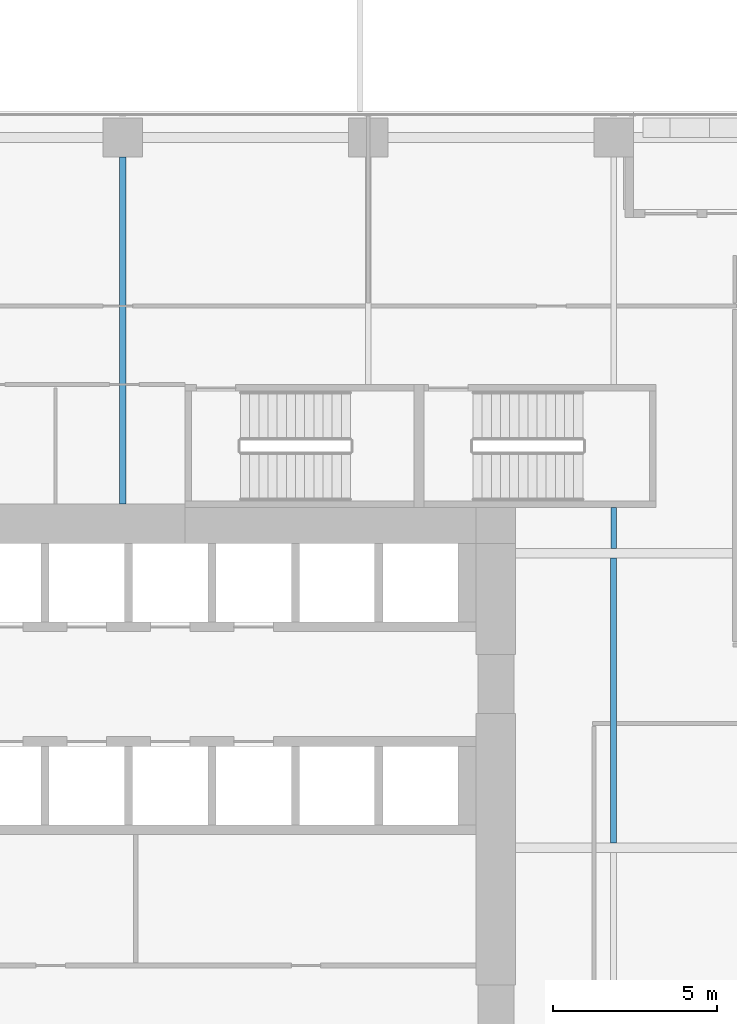
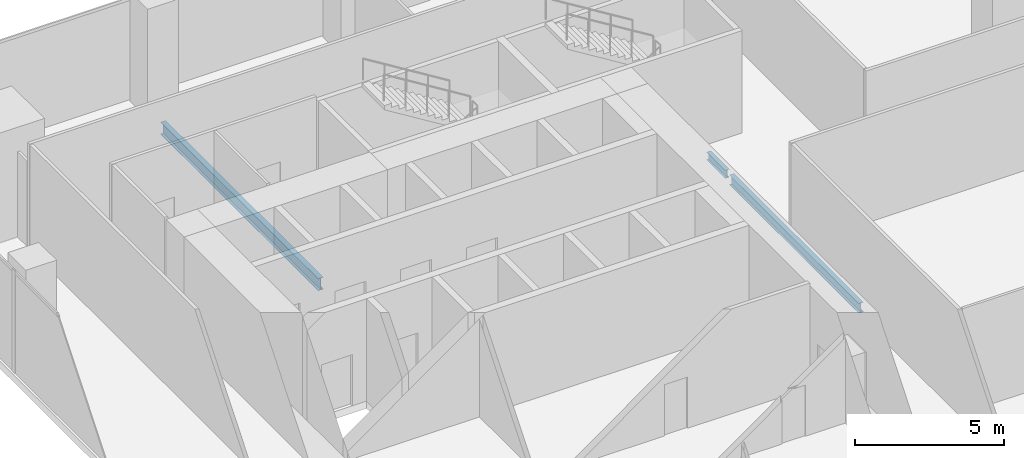
# One storey, part 13 of 33: 3 beams.
"""IFC4 building model written with IfcOpenShell, lengths in metres."""

from ifc_helpers import new_model, si_unit, direction, frame, origin, origin_2d, place, context, subcontext, project, spatial, i_section, extrude, source, transform, mapped, material, material_profile, profile_set, type_object, element, save


model = new_model("IFC4")

# Units and contexts
model_context = context("Model", 3, precision=1e-05, world=origin(), true_north=direction((0.0, 1.0)))
body_context = subcontext(model_context, "Body", "Model", "MODEL_VIEW")
ifc_project = project(units=[si_unit("LENGTHUNIT", "METRE"), si_unit("AREAUNIT", "SQUARE_METRE"), si_unit("VOLUMEUNIT", "CUBIC_METRE"), si_unit("PLANEANGLEUNIT", "RADIAN"), si_unit("MASSUNIT", "GRAM", prefix="KILO")], contexts=[model_context])

# Site, building, storey
site_placement = place(None, origin())
site = spatial("IfcSite", under=ifc_project, at=site_placement, CompositionType="ELEMENT")
building_placement = place(site_placement, origin())
building = spatial("IfcBuilding", under=site, at=building_placement, Name="Khomas Fold Tower", CompositionType="ELEMENT")
storey_placement = place(building_placement, frame((0.0, 0.0, 91.5)))
storey = spatial("IfcBuildingStorey", under=building, at=storey_placement, Name="L19", CompositionType="ELEMENT", Elevation=91.5)

# Beams
ifc_material_1 = material(Name="Steel S355", Category="steel")
ifc_material_profile_1 = material_profile(ifc_material_1, i_section(OverallWidth=0.199951171875, OverallDepth=0.5, WebThickness=0.01025390625, FlangeThickness=0.01611328125, at=origin_2d()), Name="IPE 500")
ifc_profile_set_1 = profile_set([ifc_material_profile_1], Name="Steel S355")
beam_type_1 = type_object("IfcBeamType", Name="IPE 500 beam JB5", PredefinedType="BEAM", material=ifc_profile_set_1)
shared_shape_1 = source(origin(), body_context, "Body", "SweptSolid", [
    extrude(i_section(OverallWidth=0.199951171875, OverallDepth=0.5, WebThickness=0.01025390625, FlangeThickness=0.01611328125, at=origin_2d()), origin(), (0.0, 0.0, 1.0), 10.60009765625),
])
beam_1_placement = place(storey_placement, frame((12.0, 42.0, -0.550048828125), z_axis=(0.0, 1.0, 0.0), x_axis=(-1.0, 0.0, 0.0)))
element("IfcBeam", 1, at=beam_1_placement, inside=storey, type_object=beam_type_1, Name="JB5", PredefinedType="BEAM", context=body_context, shape_type="MappedRepresentation", body=[
    mapped(shared_shape_1, transform((0.0, 0.0, 0.0))),
])
ifc_material_2 = material(Name="Steel S355", Category="steel")
ifc_material_profile_2 = material_profile(ifc_material_2, i_section(OverallWidth=0.179931640625, OverallDepth=0.39990234375, WebThickness=0.008544921875, FlangeThickness=0.013427734375, at=origin_2d()), Name="IPE 400")
ifc_profile_set_2 = profile_set([ifc_material_profile_2], Name="Steel S355")
beam_type_2 = type_object("IfcBeamType", Name="IPE 400 beam JB3", PredefinedType="BEAM", material=ifc_profile_set_2)
shared_shape_2 = source(origin(), body_context, "Body", "SweptSolid", [
    extrude(i_section(OverallWidth=0.179931640625, OverallDepth=0.39990234375, WebThickness=0.008544921875, FlangeThickness=0.013427734375, at=origin_2d()), origin(), (0.0, 0.0, 1.0), 8.7001953125),
])
beam_2_placement = place(storey_placement, frame((27.0, 31.64990234375, -0.5), z_axis=(0.0, 1.0, 0.0), x_axis=(-1.0, 0.0, 0.0)))
element("IfcBeam", 2, at=beam_2_placement, inside=storey, type_object=beam_type_2, Name="JB3", PredefinedType="BEAM", context=body_context, shape_type="MappedRepresentation", body=[
    mapped(shared_shape_2, transform((0.0, 0.0, 0.0))),
])
ifc_material_3 = material(Name="Steel S355", Category="steel")
ifc_material_profile_3 = material_profile(ifc_material_3, i_section(OverallWidth=0.159912109375, OverallDepth=0.330078125, WebThickness=0.007568359375, FlangeThickness=0.011474609375, at=origin_2d()), Name="IPE 330")
ifc_profile_set_3 = profile_set([ifc_material_profile_3], Name="Steel S355")
beam_type_3 = type_object("IfcBeamType", Name="IPE 330 beam JB1", PredefinedType="BEAM", material=ifc_profile_set_3)
shared_shape_3 = source(origin(), body_context, "Body", "SweptSolid", [
    extrude(i_section(OverallWidth=0.159912109375, OverallDepth=0.330078125, WebThickness=0.007568359375, FlangeThickness=0.011474609375, at=origin_2d()), origin(), (0.0, 0.0, 1.0), 1.25),
])
beam_3_placement = place(storey_placement, frame((27.0, 40.64990234375, -0.465087890625), z_axis=(0.0, 1.0, 0.0), x_axis=(-1.0, 0.0, 0.0)))
element("IfcBeam", 3, at=beam_3_placement, inside=storey, type_object=beam_type_3, Name="JB1", PredefinedType="BEAM", context=body_context, shape_type="MappedRepresentation", body=[
    mapped(shared_shape_3, transform((0.0, 0.0, 0.0))),
])

save(model, "model.ifc")
